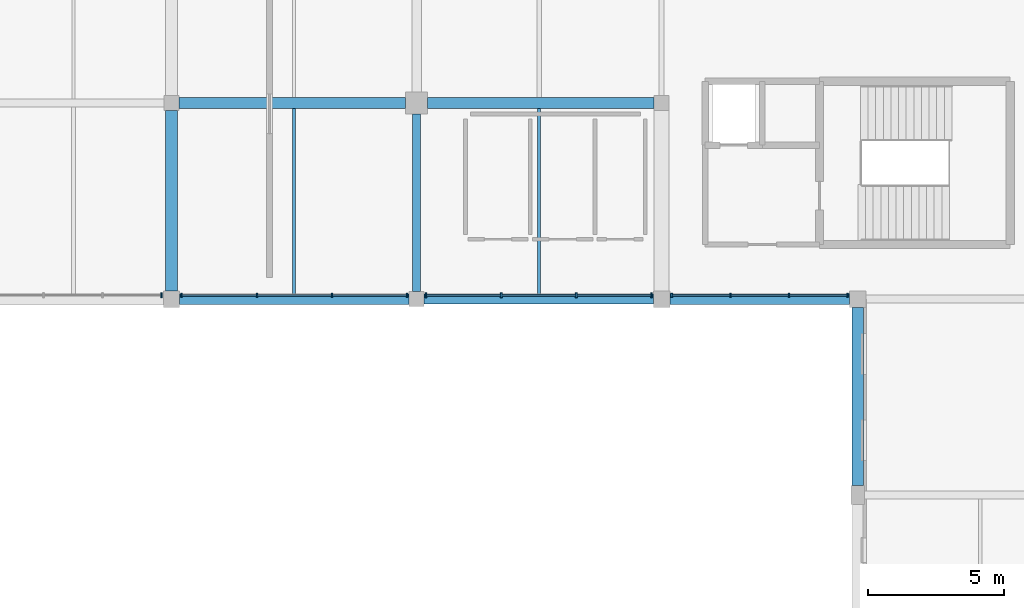
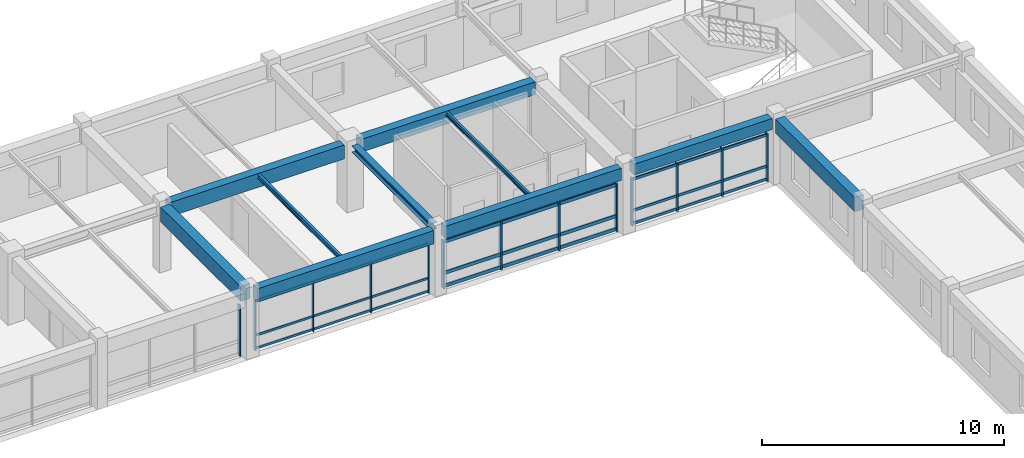
# One storey, part 26 of 74: 40 members, 10 beams, 4 elements without a shape of their own.
"""IFC4 building model written with IfcOpenShell, lengths in metres."""

from ifc_helpers import new_model, si_unit, direction, frame, origin, origin_2d, place, context, subcontext, project, spatial, rectangle, i_section, extrude, material, material_profile, profile_set, type_object, element, aggregate, save


model = new_model("IFC4")

# Units and contexts
model_context = context("Model", 3, precision=1e-05, world=origin(), true_north=direction((0.0, 1.0)))
body_context = subcontext(model_context, "Body", "Model", "MODEL_VIEW")
ifc_project = project(units=[si_unit("LENGTHUNIT", "METRE"), si_unit("AREAUNIT", "SQUARE_METRE"), si_unit("VOLUMEUNIT", "CUBIC_METRE"), si_unit("PLANEANGLEUNIT", "RADIAN"), si_unit("MASSUNIT", "GRAM", prefix="KILO")], contexts=[model_context])

# Site, building, storey
site_placement = place(None, origin())
site = spatial("IfcSite", under=ifc_project, at=site_placement, CompositionType="ELEMENT")
building_placement = place(site_placement, origin())
building = spatial("IfcBuilding", under=site, at=building_placement, Name="Clarverna Civic Hall", CompositionType="ELEMENT")
storey_placement = place(building_placement, frame((0.0, 0.0, 9.60009765625)))
storey = spatial("IfcBuildingStorey", under=building, at=storey_placement, Name="L02", CompositionType="ELEMENT", Elevation=9.60009765625)

# Beams
ifc_material_1 = material(Name="Concrete C35/45", Category="concrete")
ifc_material_profile_1 = material_profile(ifc_material_1, rectangle(XDim=0.449951171875, YDim=0.75, at=origin_2d()), Name="RC 450x750")
ifc_profile_set_1 = profile_set([ifc_material_profile_1], Name="Concrete C35/45")
beam_type_1 = type_object("IfcBeamType", Name="B-RC3", PredefinedType="BEAM", material=ifc_profile_set_1)
beam_1_placement = place(storey_placement, frame((32.39990234375, 102.5, 2.94482421875), z_axis=(0.0, 1.0, 0.0), x_axis=(-1.0, 0.0, 0.0)))
element("IfcBeam", 1, at=beam_1_placement, inside=storey, type_object=beam_type_1, Name="B-RC3-033", PredefinedType="BEAM", context=body_context, shape_type="SweptSolid", body=[
    extrude(rectangle(XDim=0.449951171875, YDim=0.75, at=origin_2d()), origin(), (0.0, 0.0, 1.0), 6.625),
])
ifc_material_profile_2 = material_profile(ifc_material_1, rectangle(XDim=0.39990234375, YDim=0.699951171875, at=origin_2d()), Name="RC 400x700")
ifc_profile_set_2 = profile_set([ifc_material_profile_2], Name="Concrete C35/45")
beam_type_2 = type_object("IfcBeamType", Name="B-RC5", PredefinedType="BEAM", material=ifc_profile_set_2)
beam_2_placement = place(storey_placement, frame((32.675048828125, 109.39990234375, 2.969970703125), z_axis=(1.0, 0.0, 0.0), x_axis=(0.0, 1.0, 0.0)))
element("IfcBeam", 2, at=beam_2_placement, inside=storey, type_object=beam_type_2, Name="B-RC5-031", PredefinedType="BEAM", context=body_context, shape_type="SweptSolid", body=[
    extrude(rectangle(XDim=0.39990234375, YDim=0.699951171875, at=origin_2d()), origin(), (0.0, 0.0, 1.0), 8.324951171875),
])
ifc_material_profile_3 = material_profile(ifc_material_1, rectangle(XDim=0.39990234375, YDim=0.64990234375, at=origin_2d()), Name="RC 400x650")
ifc_profile_set_3 = profile_set([ifc_material_profile_3], Name="Concrete C35/45")
beam_type_3 = type_object("IfcBeamType", Name="B-RC6", PredefinedType="BEAM", material=ifc_profile_set_3)
beam_3_placement = place(storey_placement, frame((41.800048828125, 109.39990234375, 2.994873046875), z_axis=(1.0, 0.0, 0.0), x_axis=(0.0, 1.0, 0.0)))
element("IfcBeam", 3, at=beam_3_placement, inside=storey, type_object=beam_type_3, Name="B-RC6-038", PredefinedType="BEAM", context=body_context, shape_type="SweptSolid", body=[
    extrude(rectangle(XDim=0.39990234375, YDim=0.64990234375, at=origin_2d()), origin(), (0.0, 0.0, 1.0), 8.324951171875),
])
ifc_material_profile_4 = material_profile(ifc_material_1, rectangle(XDim=0.419921875, YDim=0.719970703125, at=origin_2d()), Name="RC 420x720")
ifc_profile_set_4 = profile_set([ifc_material_profile_4], Name="Concrete C35/45")
beam_type_4 = type_object("IfcBeamType", Name="B-SP1", PredefinedType="SPANDREL", material=ifc_profile_set_4)
beam_4_placement = place(storey_placement, frame((57.60009765625, 95.35009765625, 2.9599609375), z_axis=(0.0, 1.0, 0.0), x_axis=(-1.0, 0.0, 0.0)))
element("IfcBeam", 4, at=beam_4_placement, inside=storey, type_object=beam_type_4, Name="B-SP1-099", PredefinedType="SPANDREL", context=body_context, shape_type="SweptSolid", body=[
    extrude(rectangle(XDim=0.419921875, YDim=0.719970703125, at=origin_2d()), origin(), (0.0, 0.0, 1.0), 6.5498046875),
])
ifc_material_profile_5 = material_profile(ifc_material_1, rectangle(XDim=0.3798828125, YDim=0.679931640625, at=origin_2d()), Name="RC 380x680")
ifc_profile_set_5 = profile_set([ifc_material_profile_5], Name="Concrete C35/45")
beam_type_5 = type_object("IfcBeamType", Name="B-SP2", PredefinedType="SPANDREL", material=ifc_profile_set_5)
beam_5_placement = place(storey_placement, frame((32.699951171875, 102.199951171875, 2.97998046875), z_axis=(1.0, 0.0, 0.0), x_axis=(0.0, 1.0, 0.0)))
element("IfcBeam", 5, at=beam_5_placement, inside=storey, type_object=beam_type_5, Name="B-SP2-091", PredefinedType="SPANDREL", context=body_context, shape_type="SweptSolid", body=[
    extrude(rectangle(XDim=0.3798828125, YDim=0.679931640625, at=origin_2d()), origin(), (0.0, 0.0, 1.0), 8.425048828125),
])
ifc_material_profile_6 = material_profile(ifc_material_1, rectangle(XDim=0.360107421875, YDim=0.6201171875, at=origin_2d()), Name="RC 360x620")
ifc_profile_set_6 = profile_set([ifc_material_profile_6], Name="Concrete C35/45")
beam_type_6 = type_object("IfcBeamType", Name="B-SP3", PredefinedType="SPANDREL", material=ifc_profile_set_6)
beam_6_placement = place(storey_placement, frame((41.675048828125, 102.199951171875, 3.010009765625), z_axis=(1.0, 0.0, 0.0), x_axis=(0.0, 1.0, 0.0)))
element("IfcBeam", 6, at=beam_6_placement, inside=storey, type_object=beam_type_6, Name="B-SP3-091", PredefinedType="SPANDREL", context=body_context, shape_type="SweptSolid", body=[
    extrude(rectangle(XDim=0.360107421875, YDim=0.6201171875, at=origin_2d()), origin(), (0.0, 0.0, 1.0), 8.425048828125),
])
ifc_material_profile_7 = material_profile(ifc_material_1, rectangle(XDim=0.39990234375, YDim=0.56005859375, at=origin_2d()), Name="RC 400x560")
ifc_profile_set_7 = profile_set([ifc_material_profile_7], Name="Concrete C35/45")
beam_type_7 = type_object("IfcBeamType", Name="B-SP4", PredefinedType="SPANDREL", material=ifc_profile_set_7)
beam_7_placement = place(storey_placement, frame((50.699951171875, 102.199951171875, 3.039794921875), z_axis=(1.0, 0.0, 0.0), x_axis=(0.0, 1.0, 0.0)))
element("IfcBeam", 7, at=beam_7_placement, inside=storey, type_object=beam_type_7, Name="B-SP4-090", PredefinedType="SPANDREL", context=body_context, shape_type="SweptSolid", body=[
    extrude(rectangle(XDim=0.39990234375, YDim=0.56005859375, at=origin_2d()), origin(), (0.0, 0.0, 1.0), 6.60009765625),
])
ifc_material_2 = material(Name="Steel S355", Category="steel")
ifc_material_profile_8 = material_profile(ifc_material_2, i_section(OverallWidth=0.300048828125, OverallDepth=0.330078125, WebThickness=0.009521484375, FlangeThickness=0.0166015625, FilletRadius=0.027099609375, at=origin_2d()), Name="HEA 340")
ifc_profile_set_8 = profile_set([ifc_material_profile_8], Name="Steel S355")
beam_type_8 = type_object("IfcBeamType", Name="B-ST8", PredefinedType="BEAM", material=ifc_profile_set_8)
beam_8_placement = place(storey_placement, frame((41.39990234375, 102.47509765625, 3.15478515625), z_axis=(0.0, 1.0, 0.0), x_axis=(-1.0, 0.0, 0.0)))
element("IfcBeam", 8, at=beam_8_placement, inside=storey, type_object=beam_type_8, Name="B-ST8-076", PredefinedType="BEAM", context=body_context, shape_type="SweptSolid", body=[
    extrude(i_section(OverallWidth=0.300048828125, OverallDepth=0.330078125, WebThickness=0.009521484375, FlangeThickness=0.0166015625, FilletRadius=0.027099609375, at=origin_2d()), origin(), (0.0, 0.0, 1.0), 6.52490234375),
])

# Curtain wall, member
ifc_material_3 = material(Name="Anodised Bronze Architectural Aluminium", Category="aluminium")
curtain_wall_type = type_object("IfcCurtainWallType", Name="CW-04", PredefinedType="USERDEFINED", material=ifc_material_3)
curtain_wall_1_placement = place(storey_placement, origin())
curtain_wall_1 = element("IfcCurtainWall", 9, at=curtain_wall_1_placement, inside=storey, type_object=curtain_wall_type, Name="CW-04-030", ObjectType="UNITISED CURTAIN WALL", PredefinedType="USERDEFINED")
ifc_material_profile_9 = material_profile(ifc_material_3, rectangle(XDim=0.06005859375, YDim=0.179931640625, at=origin_2d()), Name="BRONZE 60x180")
ifc_profile_set_9 = profile_set([ifc_material_profile_9], Name="Anodised Bronze Architectural Aluminium")
member_type_1 = type_object("IfcMemberType", Name="CWM-01", PredefinedType="MULLION", material=ifc_profile_set_9)
member_1_placement = place(storey_placement, frame((32.027099609375, 102.340087890625, 0.0), z_axis=(0.0, 0.0, 1.0), x_axis=(1.0, 0.0, 0.0)))
member_1 = element("IfcMember", 10, at=member_1_placement, type_object=member_type_1, Name="CWM-01-117", PredefinedType="MULLION", context=body_context, shape_type="SweptSolid", body=[
    extrude(rectangle(XDim=0.06005859375, YDim=0.179931640625, at=origin_2d()), origin(), (0.0, 0.0, 1.0), 2.56982421875),
])
aggregate(curtain_wall_1, [member_1])

# Curtain wall, members
curtain_wall_2_placement = place(storey_placement, origin())
curtain_wall_2 = element("IfcCurtainWall", 11, at=curtain_wall_2_placement, inside=storey, type_object=curtain_wall_type, Name="CW-04-027", ObjectType="UNITISED CURTAIN WALL", PredefinedType="USERDEFINED")
ifc_material_profile_10 = material_profile(ifc_material_3, rectangle(XDim=0.06005859375, YDim=0.159912109375, at=origin_2d()), Name="BRONZE 60x160")
ifc_profile_set_10 = profile_set([ifc_material_profile_10], Name="Anodised Bronze Architectural Aluminium")
member_type_2 = type_object("IfcMemberType", Name="CWM-02", PredefinedType="MULLION", material=ifc_profile_set_10)
member_2_placement = place(storey_placement, frame((57.22705078125, 102.340087890625, 0.0), z_axis=(0.0, 0.0, 1.0), x_axis=(1.0, 0.0, 0.0)))
member_2 = element("IfcMember", 12, at=member_2_placement, type_object=member_type_2, Name="CWM-02-141", PredefinedType="MULLION", context=body_context, shape_type="SweptSolid", body=[
    extrude(rectangle(XDim=0.06005859375, YDim=0.159912109375, at=origin_2d()), origin(), (0.0, 0.0, 1.0), 2.419921875),
])
member_3_placement = place(storey_placement, frame((55.07568359375, 102.340087890625, 0.0), z_axis=(0.0, 0.0, 1.0), x_axis=(1.0, 0.0, 0.0)))
member_3 = element("IfcMember", 13, at=member_3_placement, type_object=member_type_2, Name="CWM-02-142", PredefinedType="MULLION", context=body_context, shape_type="SweptSolid", body=[
    extrude(rectangle(XDim=0.06005859375, YDim=0.159912109375, at=origin_2d()), origin(), (0.0, 0.0, 1.0), 2.419921875),
])
member_4_placement = place(storey_placement, frame((52.92431640625, 102.340087890625, 0.0), z_axis=(0.0, 0.0, 1.0), x_axis=(1.0, 0.0, 0.0)))
member_4 = element("IfcMember", 14, at=member_4_placement, type_object=member_type_2, Name="CWM-02-143", PredefinedType="MULLION", context=body_context, shape_type="SweptSolid", body=[
    extrude(rectangle(XDim=0.06005859375, YDim=0.159912109375, at=origin_2d()), origin(), (0.0, 0.0, 1.0), 2.419921875),
])
member_5_placement = place(storey_placement, frame((50.77294921875, 102.340087890625, 0.0), z_axis=(0.0, 0.0, 1.0), x_axis=(1.0, 0.0, 0.0)))
member_5 = element("IfcMember", 15, at=member_5_placement, type_object=member_type_2, Name="CWM-02-144", PredefinedType="MULLION", context=body_context, shape_type="SweptSolid", body=[
    extrude(rectangle(XDim=0.06005859375, YDim=0.159912109375, at=origin_2d()), origin(), (0.0, 0.0, 1.0), 2.419921875),
])

curtain_wall_3_placement = place(storey_placement, origin())
curtain_wall_3 = element("IfcCurtainWall", 16, at=curtain_wall_3_placement, inside=storey, type_object=curtain_wall_type, Name="CW-04-028", ObjectType="UNITISED CURTAIN WALL", PredefinedType="USERDEFINED")
ifc_material_profile_11 = material_profile(ifc_material_3, rectangle(XDim=0.06494140625, YDim=0.199951171875, at=origin_2d()), Name="BRONZE 65x200")
ifc_profile_set_11 = profile_set([ifc_material_profile_11], Name="Anodised Bronze Architectural Aluminium")
member_type_3 = type_object("IfcMemberType", Name="CWM-03", PredefinedType="MULLION", material=ifc_profile_set_11)
member_6_placement = place(storey_placement, frame((50.027099609375, 102.340087890625, 0.0), z_axis=(0.0, 0.0, 1.0), x_axis=(1.0, 0.0, 0.0)))
member_6 = element("IfcMember", 17, at=member_6_placement, type_object=member_type_3, Name="CWM-03-117", PredefinedType="MULLION", context=body_context, shape_type="SweptSolid", body=[
    extrude(rectangle(XDim=0.06494140625, YDim=0.199951171875, at=origin_2d()), origin(), (0.0, 0.0, 1.0), 2.419921875),
])
member_7_placement = place(storey_placement, frame((47.267333984375, 102.340087890625, 0.0), z_axis=(0.0, 0.0, 1.0), x_axis=(1.0, 0.0, 0.0)))
member_7 = element("IfcMember", 18, at=member_7_placement, type_object=member_type_3, Name="CWM-03-118", PredefinedType="MULLION", context=body_context, shape_type="SweptSolid", body=[
    extrude(rectangle(XDim=0.06494140625, YDim=0.199951171875, at=origin_2d()), origin(), (0.0, 0.0, 1.0), 2.419921875),
])
member_8_placement = place(storey_placement, frame((44.5078125, 102.340087890625, 0.0), z_axis=(0.0, 0.0, 1.0), x_axis=(1.0, 0.0, 0.0)))
member_8 = element("IfcMember", 19, at=member_8_placement, type_object=member_type_3, Name="CWM-03-119", PredefinedType="MULLION", context=body_context, shape_type="SweptSolid", body=[
    extrude(rectangle(XDim=0.06494140625, YDim=0.199951171875, at=origin_2d()), origin(), (0.0, 0.0, 1.0), 2.419921875),
])
member_9_placement = place(storey_placement, frame((41.748046875, 102.340087890625, 0.0), z_axis=(0.0, 0.0, 1.0), x_axis=(1.0, 0.0, 0.0)))
member_9 = element("IfcMember", 20, at=member_9_placement, type_object=member_type_3, Name="CWM-03-120", PredefinedType="MULLION", context=body_context, shape_type="SweptSolid", body=[
    extrude(rectangle(XDim=0.06494140625, YDim=0.199951171875, at=origin_2d()), origin(), (0.0, 0.0, 1.0), 2.419921875),
])

curtain_wall_4_placement = place(storey_placement, origin())
curtain_wall_4 = element("IfcCurtainWall", 21, at=curtain_wall_4_placement, inside=storey, type_object=curtain_wall_type, Name="CW-04-029", ObjectType="UNITISED CURTAIN WALL", PredefinedType="USERDEFINED")
ifc_material_profile_12 = material_profile(ifc_material_3, rectangle(XDim=0.054931640625, YDim=0.139892578125, at=origin_2d()), Name="BRONZE 55x140")
ifc_profile_set_12 = profile_set([ifc_material_profile_12], Name="Anodised Bronze Architectural Aluminium")
member_type_4 = type_object("IfcMemberType", Name="CWM-04", PredefinedType="MULLION", material=ifc_profile_set_12)
member_10_placement = place(storey_placement, frame((41.052001953125, 102.340087890625, 0.0), z_axis=(0.0, 0.0, 1.0), x_axis=(1.0, 0.0, 0.0)))
member_10 = element("IfcMember", 22, at=member_10_placement, type_object=member_type_4, Name="CWM-04-145", PredefinedType="MULLION", context=body_context, shape_type="SweptSolid", body=[
    extrude(rectangle(XDim=0.054931640625, YDim=0.139892578125, at=origin_2d()), origin(), (0.0, 0.0, 1.0), 2.56982421875),
])
member_11_placement = place(storey_placement, frame((38.292236328125, 102.340087890625, 0.0), z_axis=(0.0, 0.0, 1.0), x_axis=(1.0, 0.0, 0.0)))
member_11 = element("IfcMember", 23, at=member_11_placement, type_object=member_type_4, Name="CWM-04-146", PredefinedType="MULLION", context=body_context, shape_type="SweptSolid", body=[
    extrude(rectangle(XDim=0.054931640625, YDim=0.139892578125, at=origin_2d()), origin(), (0.0, 0.0, 1.0), 2.56982421875),
])
member_12_placement = place(storey_placement, frame((35.53271484375, 102.340087890625, 0.0), z_axis=(0.0, 0.0, 1.0), x_axis=(1.0, 0.0, 0.0)))
member_12 = element("IfcMember", 24, at=member_12_placement, type_object=member_type_4, Name="CWM-04-147", PredefinedType="MULLION", context=body_context, shape_type="SweptSolid", body=[
    extrude(rectangle(XDim=0.054931640625, YDim=0.139892578125, at=origin_2d()), origin(), (0.0, 0.0, 1.0), 2.56982421875),
])
member_13_placement = place(storey_placement, frame((32.77294921875, 102.340087890625, 0.0), z_axis=(0.0, 0.0, 1.0), x_axis=(1.0, 0.0, 0.0)))
member_13 = element("IfcMember", 25, at=member_13_placement, type_object=member_type_4, Name="CWM-04-148", PredefinedType="MULLION", context=body_context, shape_type="SweptSolid", body=[
    extrude(rectangle(XDim=0.054931640625, YDim=0.139892578125, at=origin_2d()), origin(), (0.0, 0.0, 1.0), 2.56982421875),
])

# Member
ifc_material_profile_13 = material_profile(ifc_material_3, rectangle(XDim=0.06005859375, YDim=0.1298828125, at=origin_2d()), Name="BRONZE 60x130")
ifc_profile_set_13 = profile_set([ifc_material_profile_13], Name="Anodised Bronze Architectural Aluminium")
member_type_5 = type_object("IfcMemberType", Name="CWT-02", PredefinedType="USERDEFINED", material=ifc_profile_set_13)
member_14_placement = place(storey_placement, frame((57.2119140625, 102.340087890625, 0.094970703125), z_axis=(-1.0, 0.0, 0.0), x_axis=(0.0, -1.0, 0.0)))
member_14 = element("IfcMember", 26, at=member_14_placement, type_object=member_type_5, Name="CWT-02-295", ObjectType="TRANSOM", PredefinedType="USERDEFINED", context=body_context, shape_type="SweptSolid", body=[
    extrude(rectangle(XDim=0.06005859375, YDim=0.1298828125, at=origin_2d()), origin(), (0.0, 0.0, 1.0), 2.12109375),
])

member_15_placement = place(storey_placement, frame((57.2119140625, 102.340087890625, 0.75), z_axis=(-1.0, 0.0, 0.0), x_axis=(0.0, -1.0, 0.0)))
member_15 = element("IfcMember", 27, at=member_15_placement, type_object=member_type_5, Name="CWT-02-296", ObjectType="TRANSOM", PredefinedType="USERDEFINED", context=body_context, shape_type="SweptSolid", body=[
    extrude(rectangle(XDim=0.06005859375, YDim=0.1298828125, at=origin_2d()), origin(), (0.0, 0.0, 1.0), 2.12109375),
])

member_16_placement = place(storey_placement, frame((57.2119140625, 102.340087890625, 2.324951171875), z_axis=(-1.0, 0.0, 0.0), x_axis=(0.0, -1.0, 0.0)))
member_16 = element("IfcMember", 28, at=member_16_placement, type_object=member_type_5, Name="CWT-02-297", ObjectType="TRANSOM", PredefinedType="USERDEFINED", context=body_context, shape_type="SweptSolid", body=[
    extrude(rectangle(XDim=0.06005859375, YDim=0.1298828125, at=origin_2d()), origin(), (0.0, 0.0, 1.0), 2.12109375),
])

member_17_placement = place(storey_placement, frame((55.060791015625, 102.340087890625, 0.094970703125), z_axis=(-1.0, 0.0, 0.0), x_axis=(0.0, -1.0, 0.0)))
member_17 = element("IfcMember", 29, at=member_17_placement, type_object=member_type_5, Name="CWT-02-298", ObjectType="TRANSOM", PredefinedType="USERDEFINED", context=body_context, shape_type="SweptSolid", body=[
    extrude(rectangle(XDim=0.06005859375, YDim=0.1298828125, at=origin_2d()), origin(), (0.0, 0.0, 1.0), 2.12158203125),
])

member_18_placement = place(storey_placement, frame((55.060791015625, 102.340087890625, 0.75), z_axis=(-1.0, 0.0, 0.0), x_axis=(0.0, -1.0, 0.0)))
member_18 = element("IfcMember", 30, at=member_18_placement, type_object=member_type_5, Name="CWT-02-299", ObjectType="TRANSOM", PredefinedType="USERDEFINED", context=body_context, shape_type="SweptSolid", body=[
    extrude(rectangle(XDim=0.06005859375, YDim=0.1298828125, at=origin_2d()), origin(), (0.0, 0.0, 1.0), 2.12158203125),
])

member_19_placement = place(storey_placement, frame((55.060791015625, 102.340087890625, 2.324951171875), z_axis=(-1.0, 0.0, 0.0), x_axis=(0.0, -1.0, 0.0)))
member_19 = element("IfcMember", 31, at=member_19_placement, type_object=member_type_5, Name="CWT-02-300", ObjectType="TRANSOM", PredefinedType="USERDEFINED", context=body_context, shape_type="SweptSolid", body=[
    extrude(rectangle(XDim=0.06005859375, YDim=0.1298828125, at=origin_2d()), origin(), (0.0, 0.0, 1.0), 2.12158203125),
])

member_20_placement = place(storey_placement, frame((52.9091796875, 102.340087890625, 0.094970703125), z_axis=(-1.0, 0.0, 0.0), x_axis=(0.0, -1.0, 0.0)))
member_20 = element("IfcMember", 32, at=member_20_placement, type_object=member_type_5, Name="CWT-02-301", ObjectType="TRANSOM", PredefinedType="USERDEFINED", context=body_context, shape_type="SweptSolid", body=[
    extrude(rectangle(XDim=0.06005859375, YDim=0.1298828125, at=origin_2d()), origin(), (0.0, 0.0, 1.0), 2.12109375),
])

member_21_placement = place(storey_placement, frame((52.9091796875, 102.340087890625, 0.75), z_axis=(-1.0, 0.0, 0.0), x_axis=(0.0, -1.0, 0.0)))
member_21 = element("IfcMember", 33, at=member_21_placement, type_object=member_type_5, Name="CWT-02-302", ObjectType="TRANSOM", PredefinedType="USERDEFINED", context=body_context, shape_type="SweptSolid", body=[
    extrude(rectangle(XDim=0.06005859375, YDim=0.1298828125, at=origin_2d()), origin(), (0.0, 0.0, 1.0), 2.12109375),
])

member_22_placement = place(storey_placement, frame((52.9091796875, 102.340087890625, 2.324951171875), z_axis=(-1.0, 0.0, 0.0), x_axis=(0.0, -1.0, 0.0)))
member_22 = element("IfcMember", 34, at=member_22_placement, type_object=member_type_5, Name="CWT-02-303", ObjectType="TRANSOM", PredefinedType="USERDEFINED", context=body_context, shape_type="SweptSolid", body=[
    extrude(rectangle(XDim=0.06005859375, YDim=0.1298828125, at=origin_2d()), origin(), (0.0, 0.0, 1.0), 2.12109375),
])

aggregate(curtain_wall_2, [member_2, member_3, member_4, member_5, member_14, member_15, member_16, member_17, member_18, member_19, member_20, member_21, member_22])

ifc_material_profile_14 = material_profile(ifc_material_3, rectangle(XDim=0.06494140625, YDim=0.169921875, at=origin_2d()), Name="BRONZE 65x170")
ifc_profile_set_14 = profile_set([ifc_material_profile_14], Name="Anodised Bronze Architectural Aluminium")
member_type_6 = type_object("IfcMemberType", Name="CWT-03", PredefinedType="USERDEFINED", material=ifc_profile_set_14)
member_23_placement = place(storey_placement, frame((50.011962890625, 102.340087890625, 0.094970703125), z_axis=(-1.0, 0.0, 0.0), x_axis=(0.0, -1.0, 0.0)))
member_23 = element("IfcMember", 35, at=member_23_placement, type_object=member_type_6, Name="CWT-03-247", ObjectType="TRANSOM", PredefinedType="USERDEFINED", context=body_context, shape_type="SweptSolid", body=[
    extrude(rectangle(XDim=0.06494140625, YDim=0.169921875, at=origin_2d()), origin(), (0.0, 0.0, 1.0), 2.729736328125),
])

member_24_placement = place(storey_placement, frame((50.011962890625, 102.340087890625, 0.75), z_axis=(-1.0, 0.0, 0.0), x_axis=(0.0, -1.0, 0.0)))
member_24 = element("IfcMember", 36, at=member_24_placement, type_object=member_type_6, Name="CWT-03-248", ObjectType="TRANSOM", PredefinedType="USERDEFINED", context=body_context, shape_type="SweptSolid", body=[
    extrude(rectangle(XDim=0.06494140625, YDim=0.169921875, at=origin_2d()), origin(), (0.0, 0.0, 1.0), 2.729736328125),
])

member_25_placement = place(storey_placement, frame((50.011962890625, 102.340087890625, 2.324951171875), z_axis=(-1.0, 0.0, 0.0), x_axis=(0.0, -1.0, 0.0)))
member_25 = element("IfcMember", 37, at=member_25_placement, type_object=member_type_6, Name="CWT-03-249", ObjectType="TRANSOM", PredefinedType="USERDEFINED", context=body_context, shape_type="SweptSolid", body=[
    extrude(rectangle(XDim=0.06494140625, YDim=0.169921875, at=origin_2d()), origin(), (0.0, 0.0, 1.0), 2.729736328125),
])

member_26_placement = place(storey_placement, frame((47.252197265625, 102.340087890625, 0.094970703125), z_axis=(-1.0, 0.0, 0.0), x_axis=(0.0, -1.0, 0.0)))
member_26 = element("IfcMember", 38, at=member_26_placement, type_object=member_type_6, Name="CWT-03-250", ObjectType="TRANSOM", PredefinedType="USERDEFINED", context=body_context, shape_type="SweptSolid", body=[
    extrude(rectangle(XDim=0.06494140625, YDim=0.169921875, at=origin_2d()), origin(), (0.0, 0.0, 1.0), 2.7294921875),
])

member_27_placement = place(storey_placement, frame((47.252197265625, 102.340087890625, 0.75), z_axis=(-1.0, 0.0, 0.0), x_axis=(0.0, -1.0, 0.0)))
member_27 = element("IfcMember", 39, at=member_27_placement, type_object=member_type_6, Name="CWT-03-251", ObjectType="TRANSOM", PredefinedType="USERDEFINED", context=body_context, shape_type="SweptSolid", body=[
    extrude(rectangle(XDim=0.06494140625, YDim=0.169921875, at=origin_2d()), origin(), (0.0, 0.0, 1.0), 2.7294921875),
])

member_28_placement = place(storey_placement, frame((47.252197265625, 102.340087890625, 2.324951171875), z_axis=(-1.0, 0.0, 0.0), x_axis=(0.0, -1.0, 0.0)))
member_28 = element("IfcMember", 40, at=member_28_placement, type_object=member_type_6, Name="CWT-03-252", ObjectType="TRANSOM", PredefinedType="USERDEFINED", context=body_context, shape_type="SweptSolid", body=[
    extrude(rectangle(XDim=0.06494140625, YDim=0.169921875, at=origin_2d()), origin(), (0.0, 0.0, 1.0), 2.7294921875),
])

member_29_placement = place(storey_placement, frame((44.49267578125, 102.340087890625, 0.094970703125), z_axis=(-1.0, 0.0, 0.0), x_axis=(0.0, -1.0, 0.0)))
member_29 = element("IfcMember", 41, at=member_29_placement, type_object=member_type_6, Name="CWT-03-253", ObjectType="TRANSOM", PredefinedType="USERDEFINED", context=body_context, shape_type="SweptSolid", body=[
    extrude(rectangle(XDim=0.06494140625, YDim=0.169921875, at=origin_2d()), origin(), (0.0, 0.0, 1.0), 2.729736328125),
])

member_30_placement = place(storey_placement, frame((44.49267578125, 102.340087890625, 0.75), z_axis=(-1.0, 0.0, 0.0), x_axis=(0.0, -1.0, 0.0)))
member_30 = element("IfcMember", 42, at=member_30_placement, type_object=member_type_6, Name="CWT-03-254", ObjectType="TRANSOM", PredefinedType="USERDEFINED", context=body_context, shape_type="SweptSolid", body=[
    extrude(rectangle(XDim=0.06494140625, YDim=0.169921875, at=origin_2d()), origin(), (0.0, 0.0, 1.0), 2.729736328125),
])

member_31_placement = place(storey_placement, frame((44.49267578125, 102.340087890625, 2.324951171875), z_axis=(-1.0, 0.0, 0.0), x_axis=(0.0, -1.0, 0.0)))
member_31 = element("IfcMember", 43, at=member_31_placement, type_object=member_type_6, Name="CWT-03-255", ObjectType="TRANSOM", PredefinedType="USERDEFINED", context=body_context, shape_type="SweptSolid", body=[
    extrude(rectangle(XDim=0.06494140625, YDim=0.169921875, at=origin_2d()), origin(), (0.0, 0.0, 1.0), 2.729736328125),
])

aggregate(curtain_wall_3, [member_6, member_7, member_8, member_9, member_23, member_24, member_25, member_26, member_27, member_28, member_29, member_30, member_31])

ifc_material_profile_15 = material_profile(ifc_material_3, rectangle(XDim=0.054931640625, YDim=0.110107421875, at=origin_2d()), Name="BRONZE 55x110")
ifc_profile_set_15 = profile_set([ifc_material_profile_15], Name="Anodised Bronze Architectural Aluminium")
member_type_7 = type_object("IfcMemberType", Name="CWT-04", PredefinedType="USERDEFINED", material=ifc_profile_set_15)
member_32_placement = place(storey_placement, frame((41.037109375, 102.340087890625, 0.094970703125), z_axis=(-1.0, 0.0, 0.0), x_axis=(0.0, -1.0, 0.0)))
member_32 = element("IfcMember", 44, at=member_32_placement, type_object=member_type_7, Name="CWT-04-304", ObjectType="TRANSOM", PredefinedType="USERDEFINED", context=body_context, shape_type="SweptSolid", body=[
    extrude(rectangle(XDim=0.054931640625, YDim=0.110107421875, at=origin_2d()), origin(), (0.0, 0.0, 1.0), 2.729736328125),
])

member_33_placement = place(storey_placement, frame((41.037109375, 102.340087890625, 0.75), z_axis=(-1.0, 0.0, 0.0), x_axis=(0.0, -1.0, 0.0)))
member_33 = element("IfcMember", 45, at=member_33_placement, type_object=member_type_7, Name="CWT-04-305", ObjectType="TRANSOM", PredefinedType="USERDEFINED", context=body_context, shape_type="SweptSolid", body=[
    extrude(rectangle(XDim=0.054931640625, YDim=0.110107421875, at=origin_2d()), origin(), (0.0, 0.0, 1.0), 2.729736328125),
])

member_34_placement = place(storey_placement, frame((41.037109375, 102.340087890625, 2.474853515625), z_axis=(-1.0, 0.0, 0.0), x_axis=(0.0, -1.0, 0.0)))
member_34 = element("IfcMember", 46, at=member_34_placement, type_object=member_type_7, Name="CWT-04-306", ObjectType="TRANSOM", PredefinedType="USERDEFINED", context=body_context, shape_type="SweptSolid", body=[
    extrude(rectangle(XDim=0.054931640625, YDim=0.110107421875, at=origin_2d()), origin(), (0.0, 0.0, 1.0), 2.729736328125),
])

member_35_placement = place(storey_placement, frame((38.27734375, 102.340087890625, 0.094970703125), z_axis=(-1.0, 0.0, 0.0), x_axis=(0.0, -1.0, 0.0)))
member_35 = element("IfcMember", 47, at=member_35_placement, type_object=member_type_7, Name="CWT-04-307", ObjectType="TRANSOM", PredefinedType="USERDEFINED", context=body_context, shape_type="SweptSolid", body=[
    extrude(rectangle(XDim=0.054931640625, YDim=0.110107421875, at=origin_2d()), origin(), (0.0, 0.0, 1.0), 2.729736328125),
])

member_36_placement = place(storey_placement, frame((38.27734375, 102.340087890625, 0.75), z_axis=(-1.0, 0.0, 0.0), x_axis=(0.0, -1.0, 0.0)))
member_36 = element("IfcMember", 48, at=member_36_placement, type_object=member_type_7, Name="CWT-04-308", ObjectType="TRANSOM", PredefinedType="USERDEFINED", context=body_context, shape_type="SweptSolid", body=[
    extrude(rectangle(XDim=0.054931640625, YDim=0.110107421875, at=origin_2d()), origin(), (0.0, 0.0, 1.0), 2.729736328125),
])

member_37_placement = place(storey_placement, frame((38.27734375, 102.340087890625, 2.474853515625), z_axis=(-1.0, 0.0, 0.0), x_axis=(0.0, -1.0, 0.0)))
member_37 = element("IfcMember", 49, at=member_37_placement, type_object=member_type_7, Name="CWT-04-309", ObjectType="TRANSOM", PredefinedType="USERDEFINED", context=body_context, shape_type="SweptSolid", body=[
    extrude(rectangle(XDim=0.054931640625, YDim=0.110107421875, at=origin_2d()), origin(), (0.0, 0.0, 1.0), 2.729736328125),
])

member_38_placement = place(storey_placement, frame((35.517578125, 102.340087890625, 0.094970703125), z_axis=(-1.0, 0.0, 0.0), x_axis=(0.0, -1.0, 0.0)))
member_38 = element("IfcMember", 50, at=member_38_placement, type_object=member_type_7, Name="CWT-04-310", ObjectType="TRANSOM", PredefinedType="USERDEFINED", context=body_context, shape_type="SweptSolid", body=[
    extrude(rectangle(XDim=0.054931640625, YDim=0.110107421875, at=origin_2d()), origin(), (0.0, 0.0, 1.0), 2.7294921875),
])

member_39_placement = place(storey_placement, frame((35.517578125, 102.340087890625, 0.75), z_axis=(-1.0, 0.0, 0.0), x_axis=(0.0, -1.0, 0.0)))
member_39 = element("IfcMember", 51, at=member_39_placement, type_object=member_type_7, Name="CWT-04-311", ObjectType="TRANSOM", PredefinedType="USERDEFINED", context=body_context, shape_type="SweptSolid", body=[
    extrude(rectangle(XDim=0.054931640625, YDim=0.110107421875, at=origin_2d()), origin(), (0.0, 0.0, 1.0), 2.7294921875),
])

member_40_placement = place(storey_placement, frame((35.517578125, 102.340087890625, 2.474853515625), z_axis=(-1.0, 0.0, 0.0), x_axis=(0.0, -1.0, 0.0)))
member_40 = element("IfcMember", 52, at=member_40_placement, type_object=member_type_7, Name="CWT-04-312", ObjectType="TRANSOM", PredefinedType="USERDEFINED", context=body_context, shape_type="SweptSolid", body=[
    extrude(rectangle(XDim=0.054931640625, YDim=0.110107421875, at=origin_2d()), origin(), (0.0, 0.0, 1.0), 2.7294921875),
])

aggregate(curtain_wall_4, [member_10, member_11, member_12, member_13, member_32, member_33, member_34, member_35, member_36, member_37, member_38, member_39, member_40])

# Beams
ifc_material_profile_16 = material_profile(ifc_material_2, i_section(OverallWidth=0.1201171875, OverallDepth=0.239990234375, WebThickness=0.006103515625, FlangeThickness=0.009765625, FilletRadius=0.014892578125, at=origin_2d()), Name="IPE 240")
ifc_profile_set_16 = profile_set([ifc_material_profile_16], Name="Steel S355")
beam_type_9 = type_object("IfcBeamType", Name="J-ST5", PredefinedType="JOIST", material=ifc_profile_set_16)
beam_9_placement = place(storey_placement, frame((36.89990234375, 102.389892578125, 3.199951171875), z_axis=(0.0, 1.0, 0.0), x_axis=(-1.0, 0.0, 0.0)))
element("IfcBeam", 53, at=beam_9_placement, inside=storey, type_object=beam_type_9, Name="J-ST5-057", PredefinedType="JOIST", context=body_context, shape_type="SweptSolid", body=[
    extrude(i_section(OverallWidth=0.1201171875, OverallDepth=0.239990234375, WebThickness=0.006103515625, FlangeThickness=0.009765625, FilletRadius=0.014892578125, at=origin_2d()), origin(), (0.0, 0.0, 1.0), 6.81005859375),
])
ifc_material_profile_17 = material_profile(ifc_material_2, i_section(OverallWidth=0.110107421875, OverallDepth=0.219970703125, WebThickness=0.005859375, FlangeThickness=0.00927734375, FilletRadius=0.011962890625, at=origin_2d()), Name="IPE 220")
ifc_profile_set_17 = profile_set([ifc_material_profile_17], Name="Steel S355")
beam_type_10 = type_object("IfcBeamType", Name="J-ST6", PredefinedType="JOIST", material=ifc_profile_set_17)
beam_10_placement = place(storey_placement, frame((45.89990234375, 102.3798828125, 3.2099609375), z_axis=(0.0, 1.0, 0.0), x_axis=(-1.0, 0.0, 0.0)))
element("IfcBeam", 54, at=beam_10_placement, inside=storey, type_object=beam_type_10, Name="J-ST6-058", PredefinedType="JOIST", context=body_context, shape_type="SweptSolid", body=[
    extrude(i_section(OverallWidth=0.110107421875, OverallDepth=0.219970703125, WebThickness=0.005859375, FlangeThickness=0.00927734375, FilletRadius=0.011962890625, at=origin_2d()), origin(), (0.0, 0.0, 1.0), 6.820068359375),
])

save(model, "model.ifc")
